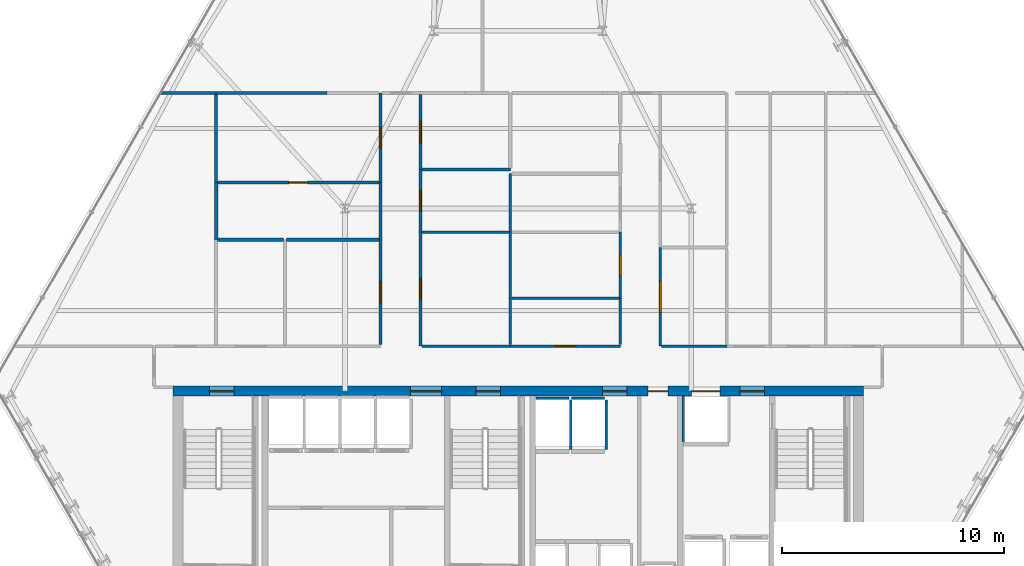
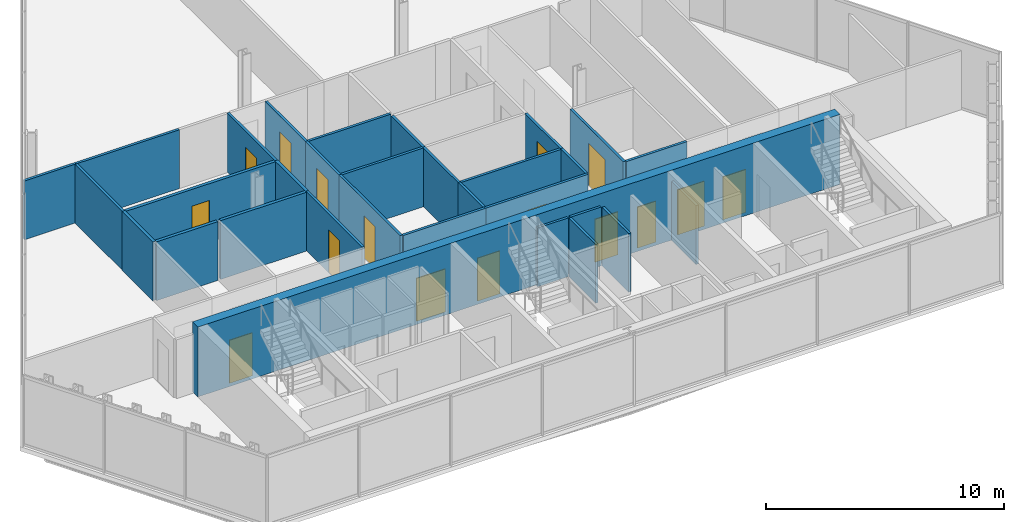
# One storey, part 26 of 31: 31 walls, 16 doors, 16 openings.
"""IFC4 building model written with IfcOpenShell, lengths in metres."""

from ifc_helpers import new_model, si_unit, direction, frame, frame_2d, origin, place, context, subcontext, project, spatial, rectangle, extrude, material, layer, layer_set, type_object, element, fill, save


model = new_model("IFC4")

# Units and contexts
model_context = context("Model", 3, precision=1e-05, world=origin(), true_north=direction((0.0, 1.0)))
body_context = subcontext(model_context, "Body", "Model", "MODEL_VIEW")
ifc_project = project(units=[si_unit("LENGTHUNIT", "METRE"), si_unit("AREAUNIT", "SQUARE_METRE"), si_unit("VOLUMEUNIT", "CUBIC_METRE"), si_unit("PLANEANGLEUNIT", "RADIAN"), si_unit("MASSUNIT", "GRAM", prefix="KILO")], contexts=[model_context])

# Site, building, storey
site_placement = place(None, origin())
site = spatial("IfcSite", under=ifc_project, at=site_placement, CompositionType="ELEMENT")
building_placement = place(site_placement, origin())
building = spatial("IfcBuilding", under=site, at=building_placement, Name="Ndaravel Arena Tower", CompositionType="ELEMENT")
storey_placement = place(building_placement, frame((0.0, 0.0, 142.199951171875)))
storey = spatial("IfcBuildingStorey", under=building, at=storey_placement, Name="L33", CompositionType="ELEMENT", Elevation=142.199951171875)

# Wall, openings, doors
ifc_material_1 = material(Name="Concrete C60/75", Category="concrete")
ifc_layer_1 = layer(ifc_material_1, 0.449951171875)
ifc_layer_set_1 = layer_set([ifc_layer_1], Name="Concrete C60/75")
wall_type_1 = type_object("IfcWallType", Name="WALL-CORE-450", PredefinedType="SOLIDWALL", material=ifc_layer_set_1)
wall_1_placement = place(storey_placement, frame((26.449951171875, 14.97509765625, 0.0), z_axis=(0.0, 0.0, 1.0), x_axis=(1.0, 0.0, 0.0)))
wall_1 = element("IfcWall", 1, at=wall_1_placement, inside=storey, type_object=wall_type_1, Name="L33 Core North Shear Wall", PredefinedType="SOLIDWALL", context=body_context, shape_type="SweptSolid", body=[
    extrude(rectangle(XDim=31.10009765625, YDim=0.449951171875, at=frame_2d((15.550048828125, 0.0))), origin(), (0.0, 0.0, 1.0), 3.580078125),
])
opening_1_placement = place(wall_1_placement, frame((1.64990234375, 0.0, 0.0)))
opening_1 = element("IfcOpeningElement", 2, at=opening_1_placement, cuts=wall_1, Name="Opening FD-01", PredefinedType="OPENING", context=body_context, shape_type="SweptSolid", body=[
    extrude(rectangle(XDim=1.10009765625, YDim=2.199951171875, at=frame_2d((0.550048828125, 1.10009765625))), frame((0.0, 0.22509765625, 0.0), z_axis=(0.0, -1.0, 0.0), x_axis=(1.0, 0.0, 0.0)), (0.0, 0.0, 1.0), 0.449951171875),
])
opening_2_placement = place(wall_1_placement, frame((13.64990234375, 0.0, 0.0)))
opening_2 = element("IfcOpeningElement", 3, at=opening_2_placement, cuts=wall_1, Name="Opening FD-01", PredefinedType="OPENING", context=body_context, shape_type="SweptSolid", body=[
    extrude(rectangle(XDim=1.10009765625, YDim=2.199951171875, at=frame_2d((0.550048828125, 1.10009765625))), frame((0.0, 0.22509765625, 0.0), z_axis=(0.0, -1.0, 0.0), x_axis=(1.0, 0.0, 0.0)), (0.0, 0.0, 1.0), 0.449951171875),
])
opening_3_placement = place(wall_1_placement, frame((25.550048828125, 0.0, 0.0)))
opening_3 = element("IfcOpeningElement", 4, at=opening_3_placement, cuts=wall_1, Name="Opening FD-01", PredefinedType="OPENING", context=body_context, shape_type="SweptSolid", body=[
    extrude(rectangle(XDim=1.10009765625, YDim=2.199951171875, at=frame_2d((0.550048828125, 1.10009765625))), frame((0.0, 0.22509765625, 0.0), z_axis=(0.0, -1.0, 0.0), x_axis=(1.0, 0.0, 0.0)), (0.0, 0.0, 1.0), 0.449951171875),
])
opening_4_placement = place(wall_1_placement, frame((10.699951171875, 0.0, 0.0)))
opening_4 = element("IfcOpeningElement", 5, at=opening_4_placement, cuts=wall_1, Name="Opening ID-02", PredefinedType="OPENING", context=body_context, shape_type="SweptSolid", body=[
    extrude(rectangle(XDim=1.39990234375, YDim=2.199951171875, at=frame_2d((0.699951171875, 1.10009765625))), frame((0.0, 0.22509765625, 0.0), z_axis=(0.0, -1.0, 0.0), x_axis=(1.0, 0.0, 0.0)), (0.0, 0.0, 1.0), 0.449951171875),
])
opening_5_placement = place(wall_1_placement, frame((19.35009765625, 0.0, 0.0)))
opening_5 = element("IfcOpeningElement", 6, at=opening_5_placement, cuts=wall_1, Name="Opening FD-01", PredefinedType="OPENING", context=body_context, shape_type="SweptSolid", body=[
    extrude(rectangle(XDim=1.10009765625, YDim=2.199951171875, at=frame_2d((0.550048828125, 1.10009765625))), frame((0.0, 0.22509765625, 0.0), z_axis=(0.0, -1.0, 0.0), x_axis=(1.0, 0.0, 0.0)), (0.0, 0.0, 1.0), 0.449951171875),
])
opening_6_placement = place(wall_1_placement, frame((21.39990234375, 0.0, 0.0)))
opening_6 = element("IfcOpeningElement", 7, at=opening_6_placement, cuts=wall_1, Name="Opening RD-01", PredefinedType="OPENING", context=body_context, shape_type="SweptSolid", body=[
    extrude(rectangle(XDim=0.89990234375, YDim=2.10009765625, at=frame_2d((0.449951171875, 1.050048828125))), frame((0.0, 0.22509765625, 0.0), z_axis=(0.0, -1.0, 0.0), x_axis=(1.0, 0.0, 0.0)), (0.0, 0.0, 1.0), 0.449951171875),
])
opening_7_placement = place(wall_1_placement, frame((23.35009765625, 0.0, 0.0)))
opening_7 = element("IfcOpeningElement", 8, at=opening_7_placement, cuts=wall_1, Name="Opening LD-02", PredefinedType="OPENING", context=body_context, shape_type="SweptSolid", body=[
    extrude(rectangle(XDim=1.300048828125, YDim=2.300048828125, at=frame_2d((0.64990234375, 1.14990234375))), frame((0.0, 0.22509765625, 0.0), z_axis=(0.0, -1.0, 0.0), x_axis=(1.0, 0.0, 0.0)), (0.0, 0.0, 1.0), 0.449951171875),
])
ifc_material_2 = material(Name="Steel S355", Category="steel")
door_type_1 = type_object("IfcDoorType", Name="DT-01-STAIR-1100", OperationType="SINGLE_SWING_LEFT", PredefinedType="DOOR", material=ifc_material_2)
door_1_placement = place(opening_1_placement, origin())
door_1 = element("IfcDoor", 9, at=door_1_placement, inside=storey, type_object=door_type_1, Name="L33 Exit Stair ST-1 Door", OperationType="SINGLE_SWING_RIGHT", OverallHeight=2.199951171875, OverallWidth=1.10009765625, PredefinedType="DOOR", context=body_context, shape_type="SweptSolid", body=[
    extrude(rectangle(XDim=1.10009765625, YDim=2.199951171875, at=frame_2d((0.550048828125, 1.10009765625))), frame((0.0, 0.02490234375, 0.0), z_axis=(0.0, -1.0, 0.0), x_axis=(1.0, 0.0, 0.0)), (0.0, 0.0, 1.0), 0.050048828125),
])
fill(opening_1, door_1)
door_2_placement = place(opening_2_placement, origin())
door_2 = element("IfcDoor", 10, at=door_2_placement, inside=storey, type_object=door_type_1, Name="L33 Exit Stair ST-2 Door", OperationType="SINGLE_SWING_LEFT", OverallHeight=2.199951171875, OverallWidth=1.10009765625, PredefinedType="DOOR", context=body_context, shape_type="SweptSolid", body=[
    extrude(rectangle(XDim=1.10009765625, YDim=2.199951171875, at=frame_2d((0.550048828125, 1.10009765625))), frame((0.0, 0.02490234375, 0.0), z_axis=(0.0, -1.0, 0.0), x_axis=(1.0, 0.0, 0.0)), (0.0, 0.0, 1.0), 0.050048828125),
])
fill(opening_2, door_2)
door_3_placement = place(opening_3_placement, origin())
door_3 = element("IfcDoor", 11, at=door_3_placement, inside=storey, type_object=door_type_1, Name="L33 Firefighting Lift Lobby Door", OperationType="SINGLE_SWING_RIGHT", OverallHeight=2.199951171875, OverallWidth=1.10009765625, PredefinedType="DOOR", context=body_context, shape_type="SweptSolid", body=[
    extrude(rectangle(XDim=1.10009765625, YDim=2.199951171875, at=frame_2d((0.550048828125, 1.10009765625))), frame((0.0, 0.02490234375, 0.0), z_axis=(0.0, -1.0, 0.0), x_axis=(1.0, 0.0, 0.0)), (0.0, 0.0, 1.0), 0.050048828125),
])
fill(opening_3, door_3)
door_4_placement = place(opening_5_placement, origin())
door_4 = element("IfcDoor", 12, at=door_4_placement, inside=storey, type_object=door_type_1, Name="L33 Express Lift Lobby Entry Door", OperationType="SINGLE_SWING_LEFT", OverallHeight=2.199951171875, OverallWidth=1.10009765625, PredefinedType="DOOR", context=body_context, shape_type="SweptSolid", body=[
    extrude(rectangle(XDim=1.10009765625, YDim=2.199951171875, at=frame_2d((0.550048828125, 1.10009765625))), frame((0.0, 0.02490234375, 0.0), z_axis=(0.0, -1.0, 0.0), x_axis=(1.0, 0.0, 0.0)), (0.0, 0.0, 1.0), 0.050048828125),
])
fill(opening_5, door_4)
ifc_material_3 = material(Name="Timber", Category="wood")
door_type_2 = type_object("IfcDoorType", Name="DT-04-SUITE-1400", OperationType="DOUBLE_DOOR_SINGLE_SWING", PredefinedType="DOOR", material=ifc_material_3)
door_5_placement = place(opening_4_placement, origin())
door_5 = element("IfcDoor", 13, at=door_5_placement, inside=storey, type_object=door_type_2, Name="L33 West Lift Lobby Entry Door", OperationType="DOUBLE_DOOR_SINGLE_SWING", OverallHeight=2.199951171875, OverallWidth=1.39990234375, PredefinedType="DOOR", context=body_context, shape_type="SweptSolid", body=[
    extrude(rectangle(XDim=1.39990234375, YDim=2.199951171875, at=frame_2d((0.699951171875, 1.10009765625))), frame((0.0, 0.02490234375, 0.0), z_axis=(0.0, -1.0, 0.0), x_axis=(1.0, 0.0, 0.0)), (0.0, 0.0, 1.0), 0.050048828125),
])
fill(opening_4, door_5)
ifc_material_4 = material(Name="Steel S355", Category="steel")
door_type_3 = type_object("IfcDoorType", Name="DT-07-SVLIFT-1300", OperationType="DOUBLE_DOOR_SLIDING", PredefinedType="DOOR", material=ifc_material_4)
door_6_placement = place(opening_7_placement, origin())
door_6 = element("IfcDoor", 14, at=door_6_placement, inside=storey, type_object=door_type_3, Name="L33 Lift SVL-1 Sliding Landing Door", OperationType="DOUBLE_DOOR_SLIDING", OverallHeight=2.300048828125, OverallWidth=1.300048828125, PredefinedType="DOOR", context=body_context, shape_type="SweptSolid", body=[
    extrude(rectangle(XDim=1.300048828125, YDim=2.300048828125, at=frame_2d((0.64990234375, 1.14990234375))), frame((0.0, 0.02490234375, 0.0), z_axis=(0.0, -1.0, 0.0), x_axis=(1.0, 0.0, 0.0)), (0.0, 0.0, 1.0), 0.050048828125),
])
fill(opening_7, door_6)
ifc_material_5 = material(Name="Steel S355", Category="steel")
door_type_4 = type_object("IfcDoorType", Name="DT-08-RISER-900", OperationType="SINGLE_SWING_LEFT", PredefinedType="DOOR", material=ifc_material_5)
door_7_placement = place(opening_6_placement, origin())
door_7 = element("IfcDoor", 15, at=door_7_placement, inside=storey, type_object=door_type_4, Name="L33 Core Service Riser North Door", OperationType="SINGLE_SWING_LEFT", OverallHeight=2.10009765625, OverallWidth=0.89990234375, PredefinedType="DOOR", context=body_context, shape_type="SweptSolid", body=[
    extrude(rectangle(XDim=0.89990234375, YDim=2.10009765625, at=frame_2d((0.449951171875, 1.050048828125))), frame((0.0, 0.02490234375, 0.0), z_axis=(0.0, -1.0, 0.0), x_axis=(1.0, 0.0, 0.0)), (0.0, 0.0, 1.0), 0.050048828125),
])
fill(opening_6, door_7)

# Wall, opening, door
ifc_material_6 = material(Name="Gypsum", Category="gypsum")
ifc_layer_2 = layer(ifc_material_6, 0.125)
ifc_layer_set_2 = layer_set([ifc_layer_2], Name="Gypsum")
wall_type_2 = type_object("IfcWallType", Name="WALL-PART-125", PredefinedType="PARTITIONING", material=ifc_layer_set_2)
wall_2_placement = place(storey_placement, frame((35.800048828125, 17.06494140625, 0.0), z_axis=(0.0, 0.0, 1.0), x_axis=(0.0, 1.0, 0.0)))
wall_2 = element("IfcWall", 16, at=wall_2_placement, inside=storey, type_object=wall_type_2, Name="L33 Interior Partition 008", PredefinedType="PARTITIONING", context=body_context, shape_type="SweptSolid", body=[
    extrude(rectangle(XDim=4.72314453125, YDim=0.125, at=frame_2d((2.361572265625, 0.0))), origin(), (0.0, 0.0, 1.0), 3.010498046875),
])
opening_8_placement = place(wall_2_placement, frame((1.886474609375, 0.0, 0.0)))
opening_8 = element("IfcOpeningElement", 17, at=opening_8_placement, cuts=wall_2, Name="Opening ID-01", PredefinedType="OPENING", context=body_context, shape_type="SweptSolid", body=[
    extrude(rectangle(XDim=0.949951171875, YDim=2.199951171875, at=frame_2d((0.47509765625, 1.10009765625))), frame((0.0, 0.0625, 0.0), z_axis=(0.0, -1.0, 0.0), x_axis=(1.0, 0.0, 0.0)), (0.0, 0.0, 1.0), 0.125),
])
ifc_material_7 = material(Name="Timber", Category="wood")
door_type_5 = type_object("IfcDoorType", Name="DT-03-OFFICE-950", OperationType="SINGLE_SWING_LEFT", PredefinedType="DOOR", material=ifc_material_7)
door_8_placement = place(opening_8_placement, origin())
door_8 = element("IfcDoor", 18, at=door_8_placement, inside=storey, type_object=door_type_5, Name="L33 Project Seminar Room 3 Door", OperationType="SINGLE_SWING_LEFT", OverallHeight=2.199951171875, OverallWidth=0.949951171875, PredefinedType="DOOR", context=body_context, shape_type="SweptSolid", body=[
    extrude(rectangle(XDim=0.949951171875, YDim=2.199951171875, at=frame_2d((0.47509765625, 1.10009765625))), frame((0.0, 0.02490234375, 0.0), z_axis=(0.0, -1.0, 0.0), x_axis=(1.0, 0.0, 0.0)), (0.0, 0.0, 1.0), 0.050048828125),
])
fill(opening_8, door_8)

wall_3_placement = place(storey_placement, frame((35.800048828125, 24.36669921875, 0.0), z_axis=(0.0, 0.0, 1.0), x_axis=(0.0, 1.0, 0.0)))
wall_3 = element("IfcWall", 19, at=wall_3_placement, inside=storey, type_object=wall_type_2, Name="L33 Interior Partition 010", PredefinedType="PARTITIONING", context=body_context, shape_type="SweptSolid", body=[
    extrude(rectangle(XDim=4.033203125, YDim=0.125, at=frame_2d((2.0166015625, 0.0))), origin(), (0.0, 0.0, 1.0), 3.010498046875),
])
opening_9_placement = place(wall_3_placement, frame((1.54150390625, 0.0, 0.0)))
opening_9 = element("IfcOpeningElement", 20, at=opening_9_placement, cuts=wall_3, Name="Opening ID-01", PredefinedType="OPENING", context=body_context, shape_type="SweptSolid", body=[
    extrude(rectangle(XDim=0.949951171875, YDim=2.199951171875, at=frame_2d((0.47509765625, 1.10009765625))), frame((0.0, 0.0625, 0.0), z_axis=(0.0, -1.0, 0.0), x_axis=(1.0, 0.0, 0.0)), (0.0, 0.0, 1.0), 0.125),
])
door_9_placement = place(opening_9_placement, origin())
door_9 = element("IfcDoor", 21, at=door_9_placement, inside=storey, type_object=door_type_5, Name="L33 Media Cinema Room 7 Door", OperationType="SINGLE_SWING_RIGHT", OverallHeight=2.199951171875, OverallWidth=0.949951171875, PredefinedType="DOOR", context=body_context, shape_type="SweptSolid", body=[
    extrude(rectangle(XDim=0.949951171875, YDim=2.199951171875, at=frame_2d((0.47509765625, 1.10009765625))), frame((0.0, 0.02490234375, 0.0), z_axis=(0.0, -1.0, 0.0), x_axis=(1.0, 0.0, 0.0)), (0.0, 0.0, 1.0), 0.050048828125),
])
fill(opening_9, door_9)

wall_4_placement = place(storey_placement, frame((37.60009765625, 28.3349609375, 0.0), z_axis=(0.0, 0.0, 1.0), x_axis=(0.0, -1.0, 0.0)))
wall_4 = element("IfcWall", 22, at=wall_4_placement, inside=storey, type_object=wall_type_2, Name="L33 Interior Partition 012", PredefinedType="PARTITIONING", context=body_context, shape_type="SweptSolid", body=[
    extrude(rectangle(XDim=3.383544921875, YDim=0.125, at=frame_2d((1.69189453125, 0.0))), origin(), (0.0, 0.0, 1.0), 3.010498046875),
])
opening_10_placement = place(wall_4_placement, frame((1.216796875, 0.0, 0.0)))
opening_10 = element("IfcOpeningElement", 23, at=opening_10_placement, cuts=wall_4, Name="Opening ID-01", PredefinedType="OPENING", context=body_context, shape_type="SweptSolid", body=[
    extrude(rectangle(XDim=0.949951171875, YDim=2.199951171875, at=frame_2d((0.47509765625, 1.10009765625))), frame((0.0, 0.0625, 0.0), z_axis=(0.0, -1.0, 0.0), x_axis=(1.0, 0.0, 0.0)), (0.0, 0.0, 1.0), 0.125),
])
door_10_placement = place(opening_10_placement, origin())
door_10 = element("IfcDoor", 24, at=door_10_placement, inside=storey, type_object=door_type_5, Name="L33 Training Classroom 8 Door", OperationType="SINGLE_SWING_RIGHT", OverallHeight=2.199951171875, OverallWidth=0.949951171875, PredefinedType="DOOR", context=body_context, shape_type="SweptSolid", body=[
    extrude(rectangle(XDim=0.949951171875, YDim=2.199951171875, at=frame_2d((0.47509765625, 1.10009765625))), frame((0.0, 0.02490234375, 0.0), z_axis=(0.0, -1.0, 0.0), x_axis=(1.0, 0.0, 0.0)), (0.0, 0.0, 1.0), 0.050048828125),
])
fill(opening_10, door_10)

wall_5_placement = place(storey_placement, frame((37.60009765625, 24.951416015625, 0.0), z_axis=(0.0, 0.0, 1.0), x_axis=(0.0, -1.0, 0.0)))
wall_5 = element("IfcWall", 25, at=wall_5_placement, inside=storey, type_object=wall_type_2, Name="L33 Interior Partition 013", PredefinedType="PARTITIONING", context=body_context, shape_type="SweptSolid", body=[
    extrude(rectangle(XDim=2.821533203125, YDim=0.125, at=frame_2d((1.41064453125, 0.0))), origin(), (0.0, 0.0, 1.0), 3.010498046875),
])
opening_11_placement = place(wall_5_placement, frame((0.935791015625, 0.0, 0.0)))
opening_11 = element("IfcOpeningElement", 26, at=opening_11_placement, cuts=wall_5, Name="Opening ID-01", PredefinedType="OPENING", context=body_context, shape_type="SweptSolid", body=[
    extrude(rectangle(XDim=0.949951171875, YDim=2.199951171875, at=frame_2d((0.47509765625, 1.10009765625))), frame((0.0, 0.0625, 0.0), z_axis=(0.0, -1.0, 0.0), x_axis=(1.0, 0.0, 0.0)), (0.0, 0.0, 1.0), 0.125),
])
door_11_placement = place(opening_11_placement, origin())
door_11 = element("IfcDoor", 27, at=door_11_placement, inside=storey, type_object=door_type_5, Name="L33 Wellness Fitness Gym 6 Door", OperationType="SINGLE_SWING_RIGHT", OverallHeight=2.199951171875, OverallWidth=0.949951171875, PredefinedType="DOOR", context=body_context, shape_type="SweptSolid", body=[
    extrude(rectangle(XDim=0.949951171875, YDim=2.199951171875, at=frame_2d((0.47509765625, 1.10009765625))), frame((0.0, 0.02490234375, 0.0), z_axis=(0.0, -1.0, 0.0), x_axis=(1.0, 0.0, 0.0)), (0.0, 0.0, 1.0), 0.050048828125),
])
fill(opening_11, door_11)

wall_6_placement = place(storey_placement, frame((37.60009765625, 22.1298828125, 0.0), z_axis=(0.0, 0.0, 1.0), x_axis=(0.0, -1.0, 0.0)))
wall_6 = element("IfcWall", 28, at=wall_6_placement, inside=storey, type_object=wall_type_2, Name="L33 Interior Partition 014", PredefinedType="PARTITIONING", context=body_context, shape_type="SweptSolid", body=[
    extrude(rectangle(XDim=5.1298828125, YDim=0.125, at=frame_2d((2.56494140625, 0.0))), origin(), (0.0, 0.0, 1.0), 3.010498046875),
])
opening_12_placement = place(wall_6_placement, frame((2.090087890625, 0.0, 0.0)))
opening_12 = element("IfcOpeningElement", 29, at=opening_12_placement, cuts=wall_6, Name="Opening ID-01", PredefinedType="OPENING", context=body_context, shape_type="SweptSolid", body=[
    extrude(rectangle(XDim=0.949951171875, YDim=2.199951171875, at=frame_2d((0.47509765625, 1.10009765625))), frame((0.0, 0.0625, 0.0), z_axis=(0.0, -1.0, 0.0), x_axis=(1.0, 0.0, 0.0)), (0.0, 0.0, 1.0), 0.125),
])
door_12_placement = place(opening_12_placement, origin())
door_12 = element("IfcDoor", 30, at=door_12_placement, inside=storey, type_object=door_type_5, Name="L33 Wellness Fitness Gym 2 Door", OperationType="SINGLE_SWING_RIGHT", OverallHeight=2.199951171875, OverallWidth=0.949951171875, PredefinedType="DOOR", context=body_context, shape_type="SweptSolid", body=[
    extrude(rectangle(XDim=0.949951171875, YDim=2.199951171875, at=frame_2d((0.47509765625, 1.10009765625))), frame((0.0, 0.02490234375, 0.0), z_axis=(0.0, -1.0, 0.0), x_axis=(1.0, 0.0, 0.0)), (0.0, 0.0, 1.0), 0.050048828125),
])
fill(opening_12, door_12)

# Wall
wall_7_placement = place(storey_placement, frame((37.6650390625, 17.0, 0.0), z_axis=(0.0, 0.0, 1.0), x_axis=(1.0, 0.0, 0.0)))
element("IfcWall", 31, at=wall_7_placement, inside=storey, type_object=wall_type_2, Name="L33 Interior Partition 015", PredefinedType="PARTITIONING", context=body_context, shape_type="SweptSolid", body=[
    extrude(rectangle(XDim=3.98486328125, YDim=0.125, at=frame_2d((1.992431640625, 0.0))), origin(), (0.0, 0.0, 1.0), 3.010498046875),
])

# Wall, opening, door
wall_8_placement = place(storey_placement, frame((41.64990234375, 17.0, 0.0), z_axis=(0.0, 0.0, 1.0), x_axis=(1.0, 0.0, 0.0)))
wall_8 = element("IfcWall", 32, at=wall_8_placement, inside=storey, type_object=wall_type_2, Name="L33 Interior Partition 016", PredefinedType="PARTITIONING", context=body_context, shape_type="SweptSolid", body=[
    extrude(rectangle(XDim=4.9501953125, YDim=0.125, at=frame_2d((2.47509765625, 0.0))), origin(), (0.0, 0.0, 1.0), 3.010498046875),
])
opening_13_placement = place(wall_8_placement, frame((2.0, 0.0, 0.0)))
opening_13 = element("IfcOpeningElement", 33, at=opening_13_placement, cuts=wall_8, Name="Opening ID-01", PredefinedType="OPENING", context=body_context, shape_type="SweptSolid", body=[
    extrude(rectangle(XDim=0.949951171875, YDim=2.199951171875, at=frame_2d((0.47509765625, 1.10009765625))), frame((0.0, 0.0625, 0.0), z_axis=(0.0, -1.0, 0.0), x_axis=(1.0, 0.0, 0.0)), (0.0, 0.0, 1.0), 0.125),
])
door_13_placement = place(opening_13_placement, origin())
door_13 = element("IfcDoor", 34, at=door_13_placement, inside=storey, type_object=door_type_5, Name="L33 Design Bookshop Boutique Door", OperationType="SINGLE_SWING_RIGHT", OverallHeight=2.199951171875, OverallWidth=0.949951171875, PredefinedType="DOOR", context=body_context, shape_type="SweptSolid", body=[
    extrude(rectangle(XDim=0.949951171875, YDim=2.199951171875, at=frame_2d((0.47509765625, 1.10009765625))), frame((0.0, 0.02490234375, 0.0), z_axis=(0.0, -1.0, 0.0), x_axis=(1.0, 0.0, 0.0)), (0.0, 0.0, 1.0), 0.050048828125),
])
fill(opening_13, door_13)

# Wall
wall_9_placement = place(storey_placement, frame((46.60009765625, 17.06494140625, 0.0), z_axis=(0.0, 0.0, 1.0), x_axis=(0.0, 1.0, 0.0)))
element("IfcWall", 35, at=wall_9_placement, inside=storey, type_object=wall_type_2, Name="L33 Interior Partition 017", PredefinedType="PARTITIONING", context=body_context, shape_type="SweptSolid", body=[
    extrude(rectangle(XDim=2.089599609375, YDim=0.125, at=frame_2d((1.044921875, 0.0))), origin(), (0.0, 0.0, 1.0), 3.010498046875),
])

# Wall, opening, door
wall_10_placement = place(storey_placement, frame((46.60009765625, 19.154541015625, 0.0), z_axis=(0.0, 0.0, 1.0), x_axis=(0.0, 1.0, 0.0)))
wall_10 = element("IfcWall", 36, at=wall_10_placement, inside=storey, type_object=wall_type_2, Name="L33 Interior Partition 018", PredefinedType="PARTITIONING", context=body_context, shape_type="SweptSolid", body=[
    extrude(rectangle(XDim=2.975341796875, YDim=0.125, at=frame_2d((1.48779296875, 0.0))), origin(), (0.0, 0.0, 1.0), 3.010498046875),
])
opening_14_placement = place(wall_10_placement, frame((1.0126953125, 0.0, 0.0)))
opening_14 = element("IfcOpeningElement", 37, at=opening_14_placement, cuts=wall_10, Name="Opening ID-01", PredefinedType="OPENING", context=body_context, shape_type="SweptSolid", body=[
    extrude(rectangle(XDim=0.949951171875, YDim=2.199951171875, at=frame_2d((0.47509765625, 1.10009765625))), frame((0.0, 0.0625, 0.0), z_axis=(0.0, -1.0, 0.0), x_axis=(1.0, 0.0, 0.0)), (0.0, 0.0, 1.0), 0.125),
])
door_14_placement = place(opening_14_placement, origin())
door_14 = element("IfcDoor", 38, at=door_14_placement, inside=storey, type_object=door_type_5, Name="L33 Media Cinema Room 3 Door", OperationType="SINGLE_SWING_LEFT", OverallHeight=2.199951171875, OverallWidth=0.949951171875, PredefinedType="DOOR", context=body_context, shape_type="SweptSolid", body=[
    extrude(rectangle(XDim=0.949951171875, YDim=2.199951171875, at=frame_2d((0.47509765625, 1.10009765625))), frame((0.0, 0.02490234375, 0.0), z_axis=(0.0, -1.0, 0.0), x_axis=(1.0, 0.0, 0.0)), (0.0, 0.0, 1.0), 0.050048828125),
])
fill(opening_14, door_14)

wall_11_placement = place(storey_placement, frame((48.39990234375, 21.446044921875, 0.0), z_axis=(0.0, 0.0, 1.0), x_axis=(0.0, -1.0, 0.0)))
wall_11 = element("IfcWall", 39, at=wall_11_placement, inside=storey, type_object=wall_type_2, Name="L33 Interior Partition 023", PredefinedType="PARTITIONING", context=body_context, shape_type="SweptSolid", body=[
    extrude(rectangle(XDim=4.446044921875, YDim=0.125, at=frame_2d((2.22314453125, 0.0))), origin(), (0.0, 0.0, 1.0), 3.010498046875),
])
opening_15_placement = place(wall_11_placement, frame((1.52294921875, 0.0, 0.0)))
opening_15 = element("IfcOpeningElement", 40, at=opening_15_placement, cuts=wall_11, Name="Opening ID-02", PredefinedType="OPENING", context=body_context, shape_type="SweptSolid", body=[
    extrude(rectangle(XDim=1.39990234375, YDim=2.199951171875, at=frame_2d((0.699951171875, 1.10009765625))), frame((0.0, 0.0625, 0.0), z_axis=(0.0, -1.0, 0.0), x_axis=(1.0, 0.0, 0.0)), (0.0, 0.0, 1.0), 0.125),
])
door_15_placement = place(opening_15_placement, origin())
door_15 = element("IfcDoor", 41, at=door_15_placement, inside=storey, type_object=door_type_2, Name="L33 Collaborative Lounge Door", OperationType="SINGLE_SWING_LEFT", OverallHeight=2.199951171875, OverallWidth=1.39990234375, PredefinedType="DOOR", context=body_context, shape_type="SweptSolid", body=[
    extrude(rectangle(XDim=1.39990234375, YDim=2.199951171875, at=frame_2d((0.699951171875, 1.10009765625))), frame((0.0, 0.02490234375, 0.0), z_axis=(0.0, -1.0, 0.0), x_axis=(1.0, 0.0, 0.0)), (0.0, 0.0, 1.0), 0.050048828125),
])
fill(opening_15, door_15)

# Walls
wall_12_placement = place(storey_placement, frame((48.465087890625, 17.0, 0.0), z_axis=(0.0, 0.0, 1.0), x_axis=(1.0, 0.0, 0.0)))
element("IfcWall", 42, at=wall_12_placement, inside=storey, type_object=wall_type_2, Name="L33 Interior Partition 024", PredefinedType="PARTITIONING", context=body_context, shape_type="SweptSolid", body=[
    extrude(rectangle(XDim=2.934814453125, YDim=0.125, at=frame_2d((1.46728515625, 0.0))), origin(), (0.0, 0.0, 1.0), 3.010498046875),
])
wall_13_placement = place(storey_placement, frame((41.64990234375, 17.06494140625, 0.0), z_axis=(0.0, 0.0, 1.0), x_axis=(0.0, 1.0, 0.0)))
element("IfcWall", 43, at=wall_13_placement, inside=storey, type_object=wall_type_2, Name="L33 Interior Partition 032", PredefinedType="PARTITIONING", context=body_context, shape_type="SweptSolid", body=[
    extrude(rectangle(XDim=2.089599609375, YDim=0.125, at=frame_2d((1.044921875, 0.0))), origin(), (0.0, 0.0, 1.0), 3.010498046875),
])
wall_14_placement = place(storey_placement, frame((41.715087890625, 19.154541015625, 0.0), z_axis=(0.0, 0.0, 1.0), x_axis=(1.0, 0.0, 0.0)))
element("IfcWall", 44, at=wall_14_placement, inside=storey, type_object=wall_type_2, Name="L33 Interior Partition 033", PredefinedType="PARTITIONING", context=body_context, shape_type="SweptSolid", body=[
    extrude(rectangle(XDim=4.81982421875, YDim=0.125, at=frame_2d((2.409912109375, 0.0))), origin(), (0.0, 0.0, 1.0), 3.010498046875),
])
wall_15_placement = place(storey_placement, frame((41.64990234375, 22.1298828125, 0.0), z_axis=(0.0, 0.0, 1.0), x_axis=(0.0, -1.0, 0.0)))
element("IfcWall", 45, at=wall_15_placement, inside=storey, type_object=wall_type_2, Name="L33 Interior Partition 040", PredefinedType="PARTITIONING", context=body_context, shape_type="SweptSolid", body=[
    extrude(rectangle(XDim=2.975341796875, YDim=0.125, at=frame_2d((1.48779296875, 0.0))), origin(), (0.0, 0.0, 1.0), 3.010498046875),
])
wall_16_placement = place(storey_placement, frame((37.6650390625, 22.1298828125, 0.0), z_axis=(0.0, 0.0, 1.0), x_axis=(1.0, 0.0, 0.0)))
element("IfcWall", 46, at=wall_16_placement, inside=storey, type_object=wall_type_2, Name="L33 Interior Partition 041", PredefinedType="PARTITIONING", context=body_context, shape_type="SweptSolid", body=[
    extrude(rectangle(XDim=3.919921875, YDim=0.125, at=frame_2d((1.9599609375, 0.0))), origin(), (0.0, 0.0, 1.0), 3.010498046875),
])
wall_17_placement = place(storey_placement, frame((25.898681640625, 28.39990234375, 0.0), z_axis=(0.0, 0.0, 1.0), x_axis=(1.0, 0.0, 0.0)))
element("IfcWall", 47, at=wall_17_placement, inside=storey, type_object=wall_type_2, Name="L33 Interior Partition 043", PredefinedType="PARTITIONING", context=body_context, shape_type="SweptSolid", body=[
    extrude(rectangle(XDim=2.501220703125, YDim=0.125, at=frame_2d((1.25048828125, 0.0))), origin(), (0.0, 0.0, 1.0), 3.010498046875),
])
wall_18_placement = place(storey_placement, frame((28.39990234375, 28.3349609375, 0.0), z_axis=(0.0, 0.0, 1.0), x_axis=(0.0, -1.0, 0.0)))
element("IfcWall", 48, at=wall_18_placement, inside=storey, type_object=wall_type_2, Name="L33 Interior Partition 044", PredefinedType="PARTITIONING", context=body_context, shape_type="SweptSolid", body=[
    extrude(rectangle(XDim=3.96826171875, YDim=0.125, at=frame_2d((1.984130859375, 0.0))), origin(), (0.0, 0.0, 1.0), 3.010498046875),
])
wall_19_placement = place(storey_placement, frame((41.64990234375, 22.1298828125, 0.0), z_axis=(0.0, 0.0, 1.0), x_axis=(0.0, 1.0, 0.0)))
element("IfcWall", 49, at=wall_19_placement, inside=storey, type_object=wall_type_2, Name="L33 Interior Partition 055", PredefinedType="PARTITIONING", context=body_context, shape_type="SweptSolid", body=[
    extrude(rectangle(XDim=2.633544921875, YDim=0.125, at=frame_2d((1.31689453125, 0.0))), origin(), (0.0, 0.0, 1.0), 3.010498046875),
])
wall_20_placement = place(storey_placement, frame((37.6650390625, 24.951416015625, 0.0), z_axis=(0.0, 0.0, 1.0), x_axis=(1.0, 0.0, 0.0)))
element("IfcWall", 50, at=wall_20_placement, inside=storey, type_object=wall_type_2, Name="L33 Interior Partition 057", PredefinedType="PARTITIONING", context=body_context, shape_type="SweptSolid", body=[
    extrude(rectangle(XDim=3.98486328125, YDim=0.125, at=frame_2d((1.992431640625, 0.0))), origin(), (0.0, 0.0, 1.0), 3.010498046875),
])
wall_21_placement = place(storey_placement, frame((28.39990234375, 28.39990234375, 0.0), z_axis=(0.0, 0.0, 1.0), x_axis=(1.0, 0.0, 0.0)))
element("IfcWall", 51, at=wall_21_placement, inside=storey, type_object=wall_type_2, Name="L33 Interior Partition 059", PredefinedType="PARTITIONING", context=body_context, shape_type="SweptSolid", body=[
    extrude(rectangle(XDim=5.0, YDim=0.125, at=frame_2d((2.5, 0.0))), origin(), (0.0, 0.0, 1.0), 3.010498046875),
])
ifc_material_8 = material(Name="Concrete C40/50", Category="concrete")
ifc_layer_3 = layer(ifc_material_8, 0.1201171875)
ifc_layer_set_3 = layer_set([ifc_layer_3], Name="Concrete C40/50")
wall_type_3 = type_object("IfcWallType", Name="WALL-SHAFT-120", PredefinedType="SOLIDWALL", material=ifc_layer_set_3)
wall_22_placement = place(storey_placement, frame((42.804931640625, 14.659912109375, 0.0), z_axis=(0.0, 0.0, 1.0), x_axis=(1.0, 0.0, 0.0)))
element("IfcWall", 52, at=wall_22_placement, inside=storey, type_object=wall_type_3, Name="L33 PL-OBS1 Shaft Rear Wall", PredefinedType="SOLIDWALL", context=body_context, shape_type="SweptSolid", body=[
    extrude(rectangle(XDim=1.489990234375, YDim=0.1201171875, at=frame_2d((0.7451171875, 0.0))), origin(), (0.0, 0.0, 1.0), 3.010498046875),
])
wall_23_placement = place(storey_placement, frame((44.375, 12.340087890625, 0.0), z_axis=(0.0, 0.0, 1.0), x_axis=(0.0, 1.0, 0.0)))
element("IfcWall", 53, at=wall_23_placement, inside=storey, type_object=wall_type_3, Name="L33 PL-OBS1 Shaft Side R Wall", PredefinedType="SOLIDWALL", context=body_context, shape_type="SweptSolid", body=[
    extrude(rectangle(XDim=2.22998046875, YDim=0.1201171875, at=frame_2d((1.114990234375, 0.0))), origin(), (0.0, 0.0, 1.0), 3.010498046875),
])
wall_24_placement = place(storey_placement, frame((44.405029296875, 14.659912109375, 0.0), z_axis=(0.0, 0.0, 1.0), x_axis=(1.0, 0.0, 0.0)))
element("IfcWall", 54, at=wall_24_placement, inside=storey, type_object=wall_type_3, Name="L33 PL-OBS2 Shaft Rear Wall", PredefinedType="SOLIDWALL", context=body_context, shape_type="SweptSolid", body=[
    extrude(rectangle(XDim=1.489990234375, YDim=0.1201171875, at=frame_2d((0.7451171875, 0.0))), origin(), (0.0, 0.0, 1.0), 3.010498046875),
])
wall_25_placement = place(storey_placement, frame((45.97509765625, 12.340087890625, 0.0), z_axis=(0.0, 0.0, 1.0), x_axis=(0.0, 1.0, 0.0)))
element("IfcWall", 55, at=wall_25_placement, inside=storey, type_object=wall_type_3, Name="L33 PL-OBS2 Shaft Side R Wall", PredefinedType="SOLIDWALL", context=body_context, shape_type="SweptSolid", body=[
    extrude(rectangle(XDim=2.22998046875, YDim=0.1201171875, at=frame_2d((1.114990234375, 0.0))), origin(), (0.0, 0.0, 1.0), 3.010498046875),
])
wall_26_placement = place(storey_placement, frame((49.43994140625, 12.68994140625, 0.0), z_axis=(0.0, 0.0, 1.0), x_axis=(0.0, 1.0, 0.0)))
element("IfcWall", 56, at=wall_26_placement, inside=storey, type_object=wall_type_3, Name="L33 SVL-1 Shaft W Wall", PredefinedType="SOLIDWALL", context=body_context, shape_type="SweptSolid", body=[
    extrude(rectangle(XDim=2.070068359375, YDim=0.1201171875, at=frame_2d((1.03515625, 0.0))), origin(), (0.0, 0.0, 1.0), 3.010498046875),
])
ifc_material_9 = material(Name="Masonry", Category="masonry")
ifc_layer_4 = layer(ifc_material_9, 0.14990234375)
ifc_layer_set_4 = layer_set([ifc_layer_4], Name="Masonry")
wall_type_4 = type_object("IfcWallType", Name="WALL-WET-150", PredefinedType="PARTITIONING", material=ifc_layer_set_4)
wall_27_placement = place(storey_placement, frame((35.800048828125, 21.7880859375, 0.0), z_axis=(0.0, 0.0, 1.0), x_axis=(0.0, 1.0, 0.0)))
element("IfcWall", 57, at=wall_27_placement, inside=storey, type_object=wall_type_4, Name="L33 Interior Partition 009", PredefinedType="PARTITIONING", context=body_context, shape_type="SweptSolid", body=[
    extrude(rectangle(XDim=2.57861328125, YDim=0.14990234375, at=frame_2d((1.289306640625, 0.0))), origin(), (0.0, 0.0, 1.0), 3.010498046875),
])
wall_28_placement = place(storey_placement, frame((28.465087890625, 21.7880859375, 0.0), z_axis=(0.0, 0.0, 1.0), x_axis=(1.0, 0.0, 0.0)))
element("IfcWall", 58, at=wall_28_placement, inside=storey, type_object=wall_type_4, Name="L33 Interior Partition 038", PredefinedType="PARTITIONING", context=body_context, shape_type="SweptSolid", body=[
    extrude(rectangle(XDim=2.97802734375, YDim=0.14990234375, at=frame_2d((1.489013671875, 0.0))), origin(), (0.0, 0.0, 1.0), 3.010498046875),
])
wall_29_placement = place(storey_placement, frame((31.572998046875, 21.7880859375, 0.0), z_axis=(0.0, 0.0, 1.0), x_axis=(1.0, 0.0, 0.0)))
element("IfcWall", 59, at=wall_29_placement, inside=storey, type_object=wall_type_4, Name="L33 Interior Partition 039", PredefinedType="PARTITIONING", context=body_context, shape_type="SweptSolid", body=[
    extrude(rectangle(XDim=4.162109375, YDim=0.14990234375, at=frame_2d((2.0810546875, 0.0))), origin(), (0.0, 0.0, 1.0), 3.010498046875),
])
wall_30_placement = place(storey_placement, frame((28.39990234375, 24.36669921875, 0.0), z_axis=(0.0, 0.0, 1.0), x_axis=(0.0, -1.0, 0.0)))
element("IfcWall", 60, at=wall_30_placement, inside=storey, type_object=wall_type_4, Name="L33 Interior Partition 045", PredefinedType="PARTITIONING", context=body_context, shape_type="SweptSolid", body=[
    extrude(rectangle(XDim=2.57861328125, YDim=0.14990234375, at=frame_2d((1.289306640625, 0.0))), origin(), (0.0, 0.0, 1.0), 3.010498046875),
])

# Wall, opening, door
wall_31_placement = place(storey_placement, frame((28.465087890625, 24.36669921875, 0.0), z_axis=(0.0, 0.0, 1.0), x_axis=(1.0, 0.0, 0.0)))
wall_31 = element("IfcWall", 61, at=wall_31_placement, inside=storey, type_object=wall_type_4, Name="L33 Interior Partition 054", PredefinedType="PARTITIONING", context=body_context, shape_type="SweptSolid", body=[
    extrude(rectangle(XDim=7.27001953125, YDim=0.14990234375, at=frame_2d((3.635009765625, 0.0))), origin(), (0.0, 0.0, 1.0), 3.010498046875),
])
opening_16_placement = place(wall_31_placement, frame((3.2099609375, 0.0, 0.0)))
opening_16 = element("IfcOpeningElement", 62, at=opening_16_placement, cuts=wall_31, Name="Opening ID-03", PredefinedType="OPENING", context=body_context, shape_type="SweptSolid", body=[
    extrude(rectangle(XDim=0.85009765625, YDim=2.14990234375, at=frame_2d((0.425048828125, 1.074951171875))), frame((0.0, 0.074951171875, 0.0), z_axis=(0.0, -1.0, 0.0), x_axis=(1.0, 0.0, 0.0)), (0.0, 0.0, 1.0), 0.14990234375),
])
ifc_material_10 = material(Name="Timber", Category="wood")
door_type_6 = type_object("IfcDoorType", Name="DT-12-SUB-850", OperationType="SINGLE_SWING_LEFT", PredefinedType="DOOR", material=ifc_material_10)
door_16_placement = place(opening_16_placement, origin())
door_16 = element("IfcDoor", 63, at=door_16_placement, inside=storey, type_object=door_type_6, Name="L33 Male Staff & Visitor Restroom Door", OperationType="SINGLE_SWING_LEFT", OverallHeight=2.14990234375, OverallWidth=0.85009765625, PredefinedType="DOOR", context=body_context, shape_type="SweptSolid", body=[
    extrude(rectangle(XDim=0.85009765625, YDim=2.14990234375, at=frame_2d((0.425048828125, 1.074951171875))), frame((0.0, 0.02490234375, 0.0), z_axis=(0.0, -1.0, 0.0), x_axis=(1.0, 0.0, 0.0)), (0.0, 0.0, 1.0), 0.050048828125),
])
fill(opening_16, door_16)

save(model, "model.ifc")
